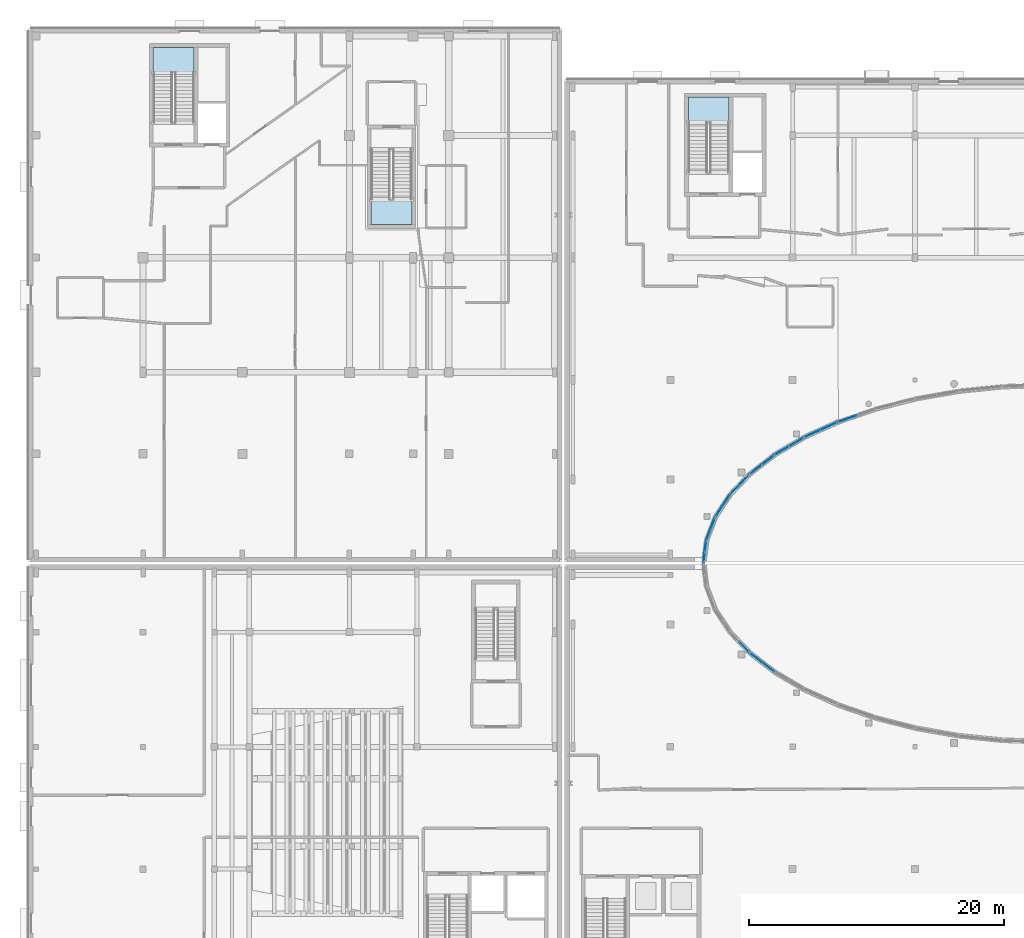
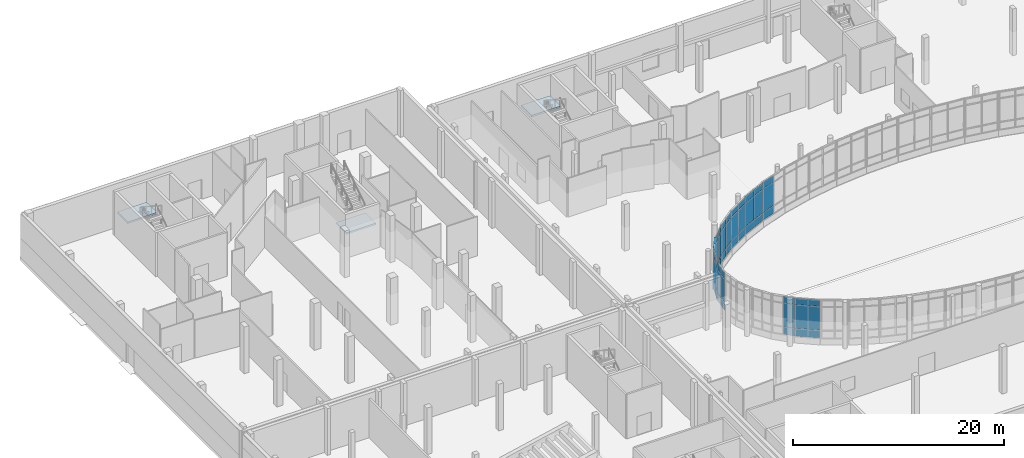
# One storey, part 33 of 84: 54 plates, 3 slabs, 13 elements without a shape of their own.
"""IFC4 building model written with IfcOpenShell, lengths in metres."""

from ifc_helpers import new_model, si_unit, direction, frame, origin, origin_2d, place, context, subcontext, project, spatial, polyline, rectangle, outline, extrude, material, layer, layer_set, type_object, element, aggregate, save


model = new_model("IFC4")

# Units and contexts
model_context = context("Model", 3, precision=1e-05, world=origin(), true_north=direction((0.0, 1.0)))
body_context = subcontext(model_context, "Body", "Model", "MODEL_VIEW")
ifc_project = project(units=[si_unit("LENGTHUNIT", "METRE"), si_unit("AREAUNIT", "SQUARE_METRE"), si_unit("VOLUMEUNIT", "CUBIC_METRE"), si_unit("PLANEANGLEUNIT", "RADIAN"), si_unit("MASSUNIT", "GRAM", prefix="KILO")], contexts=[model_context])

# Site, building, storey
site_placement = place(None, origin())
site = spatial("IfcSite", under=ifc_project, at=site_placement, CompositionType="ELEMENT")
building_placement = place(site_placement, origin())
building = spatial("IfcBuilding", under=site, at=building_placement, Name="Mzevani Central Library", CompositionType="ELEMENT")
storey_placement = place(building_placement, origin())
storey = spatial("IfcBuildingStorey", under=building, at=storey_placement, Name="L00", CompositionType="ELEMENT", Elevation=0.0)

# Curtain wall, plate
ifc_material_1 = material(Name="Thermally broken aluminium and Low-E triple glazing", Category="aluminium")
curtain_wall_type_1 = type_object("IfcCurtainWallType", Name="Elliptical Court Unitised Curtain Wall", PredefinedType="NOTDEFINED", material=ifc_material_1)
curtain_wall_1_placement = place(storey_placement, origin())
curtain_wall_1 = element("IfcCurtainWall", 1, at=curtain_wall_1_placement, inside=storey, type_object=curtain_wall_type_1, Name="L00 Elliptical Court Curtain Wall 17", PredefinedType="NOTDEFINED")
ifc_material_2 = material(Name="Thermally broken aluminium AW-6060", Category="aluminium")
ifc_layer_1 = layer(ifc_material_2, 0.0419921875, Name="CW Insulated Spandrel Panel 42")
ifc_layer_set_1 = layer_set([ifc_layer_1], Name="Thermally broken aluminium AW-6060")
plate_type_1 = type_object("IfcPlateType", Name="CW Insulated Spandrel Panel 42", PredefinedType="CURTAIN_PANEL", material=ifc_layer_set_1)
plate_1_placement = place(storey_placement, frame((68.23974609375, 87.34326171875, 0.719970703125), z_axis=(0.0, 0.0, 1.0), x_axis=(-0.945503232512, -0.325612710609, 0.0)))
plate_1 = element("IfcPlate", 2, at=plate_1_placement, type_object=plate_type_1, Name="L00 Elliptical Court Curtain Wall 17 Spandrel Panel 4", PredefinedType="CURTAIN_PANEL", context=body_context, shape_type="SweptSolid", body=[
    extrude(rectangle(XDim=1.54150390625, YDim=0.0419921875, at=origin_2d()), origin(), (0.0, 0.0, 1.0), 0.89990234375),
])

# Curtain wall, plates
curtain_wall_2_placement = place(storey_placement, origin())
curtain_wall_2 = element("IfcCurtainWall", 3, at=curtain_wall_2_placement, inside=storey, type_object=curtain_wall_type_1, Name="L00 Elliptical Court Curtain Wall 18", PredefinedType="NOTDEFINED")
plate_2_placement = place(storey_placement, frame((66.836669921875, 86.771728515625, 0.719970703125), z_axis=(0.0, 0.0, 1.0), x_axis=(-0.911237291888, -0.411881776573, 0.0)))
plate_2 = element("IfcPlate", 4, at=plate_2_placement, type_object=plate_type_1, Name="L00 Elliptical Court Curtain Wall 18 Spandrel Panel 1", PredefinedType="CURTAIN_PANEL", context=body_context, shape_type="SweptSolid", body=[
    extrude(rectangle(XDim=1.4462890625, YDim=0.0419921875, at=origin_2d()), origin(), (0.0, 0.0, 1.0), 0.89990234375),
])
plate_3_placement = place(storey_placement, frame((65.518798828125, 86.176025390625, 0.719970703125), z_axis=(0.0, 0.0, 1.0), x_axis=(-0.911237291888, -0.411881776573, 0.0)))
plate_3 = element("IfcPlate", 5, at=plate_3_placement, type_object=plate_type_1, Name="L00 Elliptical Court Curtain Wall 18 Spandrel Panel 4", PredefinedType="CURTAIN_PANEL", context=body_context, shape_type="SweptSolid", body=[
    extrude(rectangle(XDim=1.4462890625, YDim=0.0419921875, at=origin_2d()), origin(), (0.0, 0.0, 1.0), 0.89990234375),
])

curtain_wall_type_2 = type_object("IfcCurtainWallType", Name="Reading Hall Northlight Curtain Wall", PredefinedType="NOTDEFINED", material=ifc_material_1)
curtain_wall_3_placement = place(storey_placement, origin())
curtain_wall_3 = element("IfcCurtainWall", 6, at=curtain_wall_3_placement, inside=storey, type_object=curtain_wall_type_2, Name="L00 Elliptical Court Curtain Wall 19", PredefinedType="NOTDEFINED")
plate_4_placement = place(storey_placement, frame((64.271240234375, 85.517822265625, 0.719970703125), z_axis=(0.0, 0.0, 1.0), x_axis=(-0.862137189544, -0.506674911956, 0.0)))
plate_4 = element("IfcPlate", 7, at=plate_4_placement, type_object=plate_type_1, Name="L00 Elliptical Court Curtain Wall 19 Spandrel Panel 1", PredefinedType="CURTAIN_PANEL", context=body_context, shape_type="SweptSolid", body=[
    extrude(rectangle(XDim=1.340576171875, YDim=0.0419921875, at=origin_2d()), origin(), (0.0, 0.0, 1.0), 0.89990234375),
])
plate_5_placement = place(storey_placement, frame((63.115478515625, 84.838623046875, 0.719970703125), z_axis=(0.0, 0.0, 1.0), x_axis=(-0.862137189544, -0.506674911956, 0.0)))
plate_5 = element("IfcPlate", 8, at=plate_5_placement, type_object=plate_type_1, Name="L00 Elliptical Court Curtain Wall 19 Spandrel Panel 4", PredefinedType="CURTAIN_PANEL", context=body_context, shape_type="SweptSolid", body=[
    extrude(rectangle(XDim=1.340576171875, YDim=0.0419921875, at=origin_2d()), origin(), (0.0, 0.0, 1.0), 0.89990234375),
])

curtain_wall_4_placement = place(storey_placement, origin())
curtain_wall_4 = element("IfcCurtainWall", 9, at=curtain_wall_4_placement, inside=storey, type_object=curtain_wall_type_1, Name="L00 Elliptical Court Curtain Wall 20", PredefinedType="NOTDEFINED")
plate_6_placement = place(storey_placement, frame((62.043212890625, 84.1044921875, 0.719970703125), z_axis=(0.0, 0.0, 1.0), x_axis=(-0.791828313632, -0.610743744734, 0.0)))
plate_6 = element("IfcPlate", 10, at=plate_6_placement, type_object=plate_type_1, Name="L00 Elliptical Court Curtain Wall 20 Spandrel Panel 1", PredefinedType="CURTAIN_PANEL", context=body_context, shape_type="SweptSolid", body=[
    extrude(rectangle(XDim=1.229736328125, YDim=0.0419921875, at=origin_2d()), origin(), (0.0, 0.0, 1.0), 0.89990234375),
])
plate_7_placement = place(storey_placement, frame((61.0693359375, 83.353271484375, 0.719970703125), z_axis=(0.0, 0.0, 1.0), x_axis=(-0.791828313632, -0.610743744734, 0.0)))
plate_7 = element("IfcPlate", 11, at=plate_7_placement, type_object=plate_type_1, Name="L00 Elliptical Court Curtain Wall 20 Spandrel Panel 4", PredefinedType="CURTAIN_PANEL", context=body_context, shape_type="SweptSolid", body=[
    extrude(rectangle(XDim=1.229736328125, YDim=0.0419921875, at=origin_2d()), origin(), (0.0, 0.0, 1.0), 0.89990234375),
])

curtain_wall_5_placement = place(storey_placement, origin())
curtain_wall_5 = element("IfcCurtainWall", 12, at=curtain_wall_5_placement, inside=storey, type_object=curtain_wall_type_1, Name="L00 Elliptical Court Curtain Wall 21", PredefinedType="NOTDEFINED")
plate_8_placement = place(storey_placement, frame((60.189697265625, 82.55517578125, 0.719970703125), z_axis=(0.0, 0.0, 1.0), x_axis=(-0.691351660869, -0.722518429532, 0.0)))
plate_8 = element("IfcPlate", 13, at=plate_8_placement, type_object=plate_type_1, Name="L00 Elliptical Court Curtain Wall 21 Spandrel Panel 1", PredefinedType="CURTAIN_PANEL", context=body_context, shape_type="SweptSolid", body=[
    extrude(rectangle(XDim=1.121337890625, YDim=0.0419921875, at=origin_2d()), origin(), (0.0, 0.0, 1.0), 0.89990234375),
])
plate_9_placement = place(storey_placement, frame((59.41455078125, 81.7451171875, 0.719970703125), z_axis=(0.0, 0.0, 1.0), x_axis=(-0.691351660869, -0.722518429532, 0.0)))
plate_9 = element("IfcPlate", 14, at=plate_9_placement, type_object=plate_type_1, Name="L00 Elliptical Court Curtain Wall 21 Spandrel Panel 4", PredefinedType="CURTAIN_PANEL", context=body_context, shape_type="SweptSolid", body=[
    extrude(rectangle(XDim=1.121337890625, YDim=0.0419921875, at=origin_2d()), origin(), (0.0, 0.0, 1.0), 0.89990234375),
])

curtain_wall_6_placement = place(storey_placement, origin())
curtain_wall_6 = element("IfcCurtainWall", 15, at=curtain_wall_6_placement, inside=storey, type_object=curtain_wall_type_2, Name="L00 Elliptical Court Curtain Wall 22", PredefinedType="NOTDEFINED")
plate_10_placement = place(storey_placement, frame((58.74169921875, 80.89599609375, 0.719970703125), z_axis=(0.0, 0.0, 1.0), x_axis=(-0.550027505766, -0.835146539777, 0.0)))
plate_10 = element("IfcPlate", 16, at=plate_10_placement, type_object=plate_type_1, Name="L00 Elliptical Court Curtain Wall 22 Spandrel Panel 1", PredefinedType="CURTAIN_PANEL", context=body_context, shape_type="SweptSolid", body=[
    extrude(rectangle(XDim=1.0244140625, YDim=0.0419921875, at=origin_2d()), origin(), (0.0, 0.0, 1.0), 0.89990234375),
])
plate_11_placement = place(storey_placement, frame((58.17822265625, 80.04052734375, 0.719970703125), z_axis=(0.0, 0.0, 1.0), x_axis=(-0.550027505766, -0.835146539777, 0.0)))
plate_11 = element("IfcPlate", 17, at=plate_11_placement, type_object=plate_type_1, Name="L00 Elliptical Court Curtain Wall 22 Spandrel Panel 4", PredefinedType="CURTAIN_PANEL", context=body_context, shape_type="SweptSolid", body=[
    extrude(rectangle(XDim=1.0244140625, YDim=0.0419921875, at=origin_2d()), origin(), (0.0, 0.0, 1.0), 0.89990234375),
])

curtain_wall_7_placement = place(storey_placement, origin())
curtain_wall_7 = element("IfcCurtainWall", 18, at=curtain_wall_7_placement, inside=storey, type_object=curtain_wall_type_1, Name="L00 Elliptical Court Curtain Wall 23", PredefinedType="NOTDEFINED")
plate_12_placement = place(storey_placement, frame((57.723388671875, 79.154296875, 0.719970703125), z_axis=(0.0, 0.0, 1.0), x_axis=(-0.360061939687, -0.932928400034, 0.0)))
plate_12 = element("IfcPlate", 19, at=plate_12_placement, type_object=plate_type_1, Name="L00 Elliptical Court Curtain Wall 23 Spandrel Panel 1", PredefinedType="CURTAIN_PANEL", context=body_context, shape_type="SweptSolid", body=[
    extrude(rectangle(XDim=0.94970703125, YDim=0.0419921875, at=origin_2d()), origin(), (0.0, 0.0, 1.0), 0.89990234375),
])
plate_13_placement = place(storey_placement, frame((57.38134765625, 78.268310546875, 0.719970703125), z_axis=(0.0, 0.0, 1.0), x_axis=(-0.360061939687, -0.932928400034, 0.0)))
plate_13 = element("IfcPlate", 20, at=plate_13_placement, type_object=plate_type_1, Name="L00 Elliptical Court Curtain Wall 23 Spandrel Panel 4", PredefinedType="CURTAIN_PANEL", context=body_context, shape_type="SweptSolid", body=[
    extrude(rectangle(XDim=0.94970703125, YDim=0.0419921875, at=origin_2d()), origin(), (0.0, 0.0, 1.0), 0.89990234375),
])

curtain_wall_8_placement = place(storey_placement, origin())
curtain_wall_8 = element("IfcCurtainWall", 21, at=curtain_wall_8_placement, inside=storey, type_object=curtain_wall_type_1, Name="L00 Elliptical Court Curtain Wall 24", PredefinedType="NOTDEFINED")
plate_14_placement = place(storey_placement, frame((57.152099609375, 77.359619140625, 0.719970703125), z_axis=(0.0, 0.0, 1.0), x_axis=(-0.126167804319, -0.992008913848, 0.0)))
plate_14 = element("IfcPlate", 22, at=plate_14_placement, type_object=plate_type_1, Name="L00 Elliptical Court Curtain Wall 24 Spandrel Panel 1", PredefinedType="CURTAIN_PANEL", context=body_context, shape_type="SweptSolid", body=[
    extrude(rectangle(XDim=0.90869140625, YDim=0.0419921875, at=origin_2d()), origin(), (0.0, 0.0, 1.0), 0.89990234375),
])
plate_15_placement = place(storey_placement, frame((57.037353515625, 76.4580078125, 0.719970703125), z_axis=(0.0, 0.0, 1.0), x_axis=(-0.126167804319, -0.992008913848, 0.0)))
plate_15 = element("IfcPlate", 23, at=plate_15_placement, type_object=plate_type_1, Name="L00 Elliptical Court Curtain Wall 24 Spandrel Panel 4", PredefinedType="CURTAIN_PANEL", context=body_context, shape_type="SweptSolid", body=[
    extrude(rectangle(XDim=0.90869140625, YDim=0.0419921875, at=origin_2d()), origin(), (0.0, 0.0, 1.0), 0.89990234375),
])

# Curtain wall, plate
curtain_wall_9_placement = place(storey_placement, origin())
curtain_wall_9 = element("IfcCurtainWall", 24, at=curtain_wall_9_placement, inside=storey, type_object=curtain_wall_type_2, Name="L00 Elliptical Court Curtain Wall 28", PredefinedType="NOTDEFINED")
plate_16_placement = place(storey_placement, frame((60.189697265625, 69.44482421875, 0.719970703125), z_axis=(0.0, 0.0, 1.0), x_axis=(0.691351660869, -0.722518429532, 0.0)))
plate_16 = element("IfcPlate", 25, at=plate_16_placement, type_object=plate_type_1, Name="L00 Elliptical Court Curtain Wall 28 Spandrel Panel 4", PredefinedType="CURTAIN_PANEL", context=body_context, shape_type="SweptSolid", body=[
    extrude(rectangle(XDim=1.121337890625, YDim=0.0419921875, at=origin_2d()), origin(), (0.0, 0.0, 1.0), 0.89990234375),
])

# Curtain wall, plates
curtain_wall_10_placement = place(storey_placement, origin())
curtain_wall_10 = element("IfcCurtainWall", 26, at=curtain_wall_10_placement, inside=storey, type_object=curtain_wall_type_1, Name="L00 Elliptical Court Curtain Wall 29", PredefinedType="NOTDEFINED")
plate_17_placement = place(storey_placement, frame((61.0693359375, 68.646728515625, 0.719970703125), z_axis=(0.0, 0.0, 1.0), x_axis=(0.791828313632, -0.610743744734, 0.0)))
plate_17 = element("IfcPlate", 27, at=plate_17_placement, type_object=plate_type_1, Name="L00 Elliptical Court Curtain Wall 29 Spandrel Panel 1", PredefinedType="CURTAIN_PANEL", context=body_context, shape_type="SweptSolid", body=[
    extrude(rectangle(XDim=1.229736328125, YDim=0.0419921875, at=origin_2d()), origin(), (0.0, 0.0, 1.0), 0.89990234375),
])
plate_18_placement = place(storey_placement, frame((62.043212890625, 67.8955078125, 0.719970703125), z_axis=(0.0, 0.0, 1.0), x_axis=(0.791828313632, -0.610743744734, 0.0)))
plate_18 = element("IfcPlate", 28, at=plate_18_placement, type_object=plate_type_1, Name="L00 Elliptical Court Curtain Wall 29 Spandrel Panel 4", PredefinedType="CURTAIN_PANEL", context=body_context, shape_type="SweptSolid", body=[
    extrude(rectangle(XDim=1.229736328125, YDim=0.0419921875, at=origin_2d()), origin(), (0.0, 0.0, 1.0), 0.89990234375),
])

# Plate
ifc_material_3 = material(Name="Low-E triple glazing glass", Category="glass")
ifc_layer_2 = layer(ifc_material_3, 0.028076171875, Name="CW Triple Glazed Vision Panel 28")
ifc_layer_set_2 = layer_set([ifc_layer_2], Name="Low-E triple glazing glass")
plate_type_2 = type_object("IfcPlateType", Name="CW Triple Glazed Vision Panel 28", PredefinedType="CURTAIN_PANEL", material=ifc_layer_set_2)
plate_19_placement = place(storey_placement, frame((68.23974609375, 87.34326171875, 1.6201171875), z_axis=(0.0, 0.0, 1.0), x_axis=(-0.945503232512, -0.325612710609, 0.0)))
plate_19 = element("IfcPlate", 29, at=plate_19_placement, type_object=plate_type_2, Name="L00 Elliptical Court Curtain Wall 17 Vision Panel 5", PredefinedType="CURTAIN_PANEL", context=body_context, shape_type="SweptSolid", body=[
    extrude(rectangle(XDim=1.54150390625, YDim=0.028076171875, at=origin_2d()), origin(), (0.0, 0.0, 1.0), 2.75),
])

plate_20_placement = place(storey_placement, frame((68.23974609375, 87.34326171875, 4.3701171875), z_axis=(0.0, 0.0, 1.0), x_axis=(-0.945503232512, -0.325612710609, 0.0)))
plate_20 = element("IfcPlate", 30, at=plate_20_placement, type_object=plate_type_2, Name="L00 Elliptical Court Curtain Wall 17 Vision Panel 6", PredefinedType="CURTAIN_PANEL", context=body_context, shape_type="SweptSolid", body=[
    extrude(rectangle(XDim=1.54150390625, YDim=0.028076171875, at=origin_2d()), origin(), (0.0, 0.0, 1.0), 0.75),
])

aggregate(curtain_wall_1, [plate_1, plate_19, plate_20])

plate_21_placement = place(storey_placement, frame((66.836669921875, 86.771728515625, 1.6201171875), z_axis=(0.0, 0.0, 1.0), x_axis=(-0.911237291888, -0.411881776573, 0.0)))
plate_21 = element("IfcPlate", 31, at=plate_21_placement, type_object=plate_type_2, Name="L00 Elliptical Court Curtain Wall 18 Vision Panel 2", PredefinedType="CURTAIN_PANEL", context=body_context, shape_type="SweptSolid", body=[
    extrude(rectangle(XDim=1.4462890625, YDim=0.028076171875, at=origin_2d()), origin(), (0.0, 0.0, 1.0), 2.75),
])

plate_22_placement = place(storey_placement, frame((66.836669921875, 86.771728515625, 4.3701171875), z_axis=(0.0, 0.0, 1.0), x_axis=(-0.911237291888, -0.411881776573, 0.0)))
plate_22 = element("IfcPlate", 32, at=plate_22_placement, type_object=plate_type_2, Name="L00 Elliptical Court Curtain Wall 18 Vision Panel 3", PredefinedType="CURTAIN_PANEL", context=body_context, shape_type="SweptSolid", body=[
    extrude(rectangle(XDim=1.4462890625, YDim=0.028076171875, at=origin_2d()), origin(), (0.0, 0.0, 1.0), 0.75),
])

plate_23_placement = place(storey_placement, frame((65.518798828125, 86.176025390625, 1.6201171875), z_axis=(0.0, 0.0, 1.0), x_axis=(-0.911237291888, -0.411881776573, 0.0)))
plate_23 = element("IfcPlate", 33, at=plate_23_placement, type_object=plate_type_2, Name="L00 Elliptical Court Curtain Wall 18 Vision Panel 5", PredefinedType="CURTAIN_PANEL", context=body_context, shape_type="SweptSolid", body=[
    extrude(rectangle(XDim=1.4462890625, YDim=0.028076171875, at=origin_2d()), origin(), (0.0, 0.0, 1.0), 2.75),
])

plate_24_placement = place(storey_placement, frame((65.518798828125, 86.176025390625, 4.3701171875), z_axis=(0.0, 0.0, 1.0), x_axis=(-0.911237291888, -0.411881776573, 0.0)))
plate_24 = element("IfcPlate", 34, at=plate_24_placement, type_object=plate_type_2, Name="L00 Elliptical Court Curtain Wall 18 Vision Panel 6", PredefinedType="CURTAIN_PANEL", context=body_context, shape_type="SweptSolid", body=[
    extrude(rectangle(XDim=1.4462890625, YDim=0.028076171875, at=origin_2d()), origin(), (0.0, 0.0, 1.0), 0.75),
])

aggregate(curtain_wall_2, [plate_2, plate_21, plate_22, plate_3, plate_23, plate_24])

plate_25_placement = place(storey_placement, frame((64.271240234375, 85.517822265625, 1.6201171875), z_axis=(0.0, 0.0, 1.0), x_axis=(-0.862137189544, -0.506674911956, 0.0)))
plate_25 = element("IfcPlate", 35, at=plate_25_placement, type_object=plate_type_2, Name="L00 Elliptical Court Curtain Wall 19 Vision Panel 2", PredefinedType="CURTAIN_PANEL", context=body_context, shape_type="SweptSolid", body=[
    extrude(rectangle(XDim=1.340576171875, YDim=0.028076171875, at=origin_2d()), origin(), (0.0, 0.0, 1.0), 2.75),
])

plate_26_placement = place(storey_placement, frame((64.271240234375, 85.517822265625, 4.3701171875), z_axis=(0.0, 0.0, 1.0), x_axis=(-0.862137189544, -0.506674911956, 0.0)))
plate_26 = element("IfcPlate", 36, at=plate_26_placement, type_object=plate_type_2, Name="L00 Elliptical Court Curtain Wall 19 Vision Panel 3", PredefinedType="CURTAIN_PANEL", context=body_context, shape_type="SweptSolid", body=[
    extrude(rectangle(XDim=1.340576171875, YDim=0.028076171875, at=origin_2d()), origin(), (0.0, 0.0, 1.0), 0.75),
])

plate_27_placement = place(storey_placement, frame((63.115478515625, 84.838623046875, 1.6201171875), z_axis=(0.0, 0.0, 1.0), x_axis=(-0.862137189544, -0.506674911956, 0.0)))
plate_27 = element("IfcPlate", 37, at=plate_27_placement, type_object=plate_type_2, Name="L00 Elliptical Court Curtain Wall 19 Vision Panel 5", PredefinedType="CURTAIN_PANEL", context=body_context, shape_type="SweptSolid", body=[
    extrude(rectangle(XDim=1.340576171875, YDim=0.028076171875, at=origin_2d()), origin(), (0.0, 0.0, 1.0), 2.75),
])

plate_28_placement = place(storey_placement, frame((63.115478515625, 84.838623046875, 4.3701171875), z_axis=(0.0, 0.0, 1.0), x_axis=(-0.862137189544, -0.506674911956, 0.0)))
plate_28 = element("IfcPlate", 38, at=plate_28_placement, type_object=plate_type_2, Name="L00 Elliptical Court Curtain Wall 19 Vision Panel 6", PredefinedType="CURTAIN_PANEL", context=body_context, shape_type="SweptSolid", body=[
    extrude(rectangle(XDim=1.340576171875, YDim=0.028076171875, at=origin_2d()), origin(), (0.0, 0.0, 1.0), 0.75),
])

aggregate(curtain_wall_3, [plate_4, plate_25, plate_26, plate_5, plate_27, plate_28])

plate_29_placement = place(storey_placement, frame((62.043212890625, 84.1044921875, 1.6201171875), z_axis=(0.0, 0.0, 1.0), x_axis=(-0.791828313632, -0.610743744734, 0.0)))
plate_29 = element("IfcPlate", 39, at=plate_29_placement, type_object=plate_type_2, Name="L00 Elliptical Court Curtain Wall 20 Vision Panel 2", PredefinedType="CURTAIN_PANEL", context=body_context, shape_type="SweptSolid", body=[
    extrude(rectangle(XDim=1.229736328125, YDim=0.028076171875, at=origin_2d()), origin(), (0.0, 0.0, 1.0), 2.75),
])

plate_30_placement = place(storey_placement, frame((62.043212890625, 84.1044921875, 4.3701171875), z_axis=(0.0, 0.0, 1.0), x_axis=(-0.791828313632, -0.610743744734, 0.0)))
plate_30 = element("IfcPlate", 40, at=plate_30_placement, type_object=plate_type_2, Name="L00 Elliptical Court Curtain Wall 20 Vision Panel 3", PredefinedType="CURTAIN_PANEL", context=body_context, shape_type="SweptSolid", body=[
    extrude(rectangle(XDim=1.229736328125, YDim=0.028076171875, at=origin_2d()), origin(), (0.0, 0.0, 1.0), 0.75),
])

plate_31_placement = place(storey_placement, frame((61.0693359375, 83.353271484375, 1.6201171875), z_axis=(0.0, 0.0, 1.0), x_axis=(-0.791828313632, -0.610743744734, 0.0)))
plate_31 = element("IfcPlate", 41, at=plate_31_placement, type_object=plate_type_2, Name="L00 Elliptical Court Curtain Wall 20 Vision Panel 5", PredefinedType="CURTAIN_PANEL", context=body_context, shape_type="SweptSolid", body=[
    extrude(rectangle(XDim=1.229736328125, YDim=0.028076171875, at=origin_2d()), origin(), (0.0, 0.0, 1.0), 2.75),
])

plate_32_placement = place(storey_placement, frame((61.0693359375, 83.353271484375, 4.3701171875), z_axis=(0.0, 0.0, 1.0), x_axis=(-0.791828313632, -0.610743744734, 0.0)))
plate_32 = element("IfcPlate", 42, at=plate_32_placement, type_object=plate_type_2, Name="L00 Elliptical Court Curtain Wall 20 Vision Panel 6", PredefinedType="CURTAIN_PANEL", context=body_context, shape_type="SweptSolid", body=[
    extrude(rectangle(XDim=1.229736328125, YDim=0.028076171875, at=origin_2d()), origin(), (0.0, 0.0, 1.0), 0.75),
])

aggregate(curtain_wall_4, [plate_6, plate_29, plate_30, plate_7, plate_31, plate_32])

plate_33_placement = place(storey_placement, frame((60.189697265625, 82.55517578125, 1.6201171875), z_axis=(0.0, 0.0, 1.0), x_axis=(-0.691351660869, -0.722518429532, 0.0)))
plate_33 = element("IfcPlate", 43, at=plate_33_placement, type_object=plate_type_2, Name="L00 Elliptical Court Curtain Wall 21 Vision Panel 2", PredefinedType="CURTAIN_PANEL", context=body_context, shape_type="SweptSolid", body=[
    extrude(rectangle(XDim=1.121337890625, YDim=0.028076171875, at=origin_2d()), origin(), (0.0, 0.0, 1.0), 2.75),
])

plate_34_placement = place(storey_placement, frame((60.189697265625, 82.55517578125, 4.3701171875), z_axis=(0.0, 0.0, 1.0), x_axis=(-0.691351660869, -0.722518429532, 0.0)))
plate_34 = element("IfcPlate", 44, at=plate_34_placement, type_object=plate_type_2, Name="L00 Elliptical Court Curtain Wall 21 Vision Panel 3", PredefinedType="CURTAIN_PANEL", context=body_context, shape_type="SweptSolid", body=[
    extrude(rectangle(XDim=1.121337890625, YDim=0.028076171875, at=origin_2d()), origin(), (0.0, 0.0, 1.0), 0.75),
])

plate_35_placement = place(storey_placement, frame((59.41455078125, 81.7451171875, 1.6201171875), z_axis=(0.0, 0.0, 1.0), x_axis=(-0.691351660869, -0.722518429532, 0.0)))
plate_35 = element("IfcPlate", 45, at=plate_35_placement, type_object=plate_type_2, Name="L00 Elliptical Court Curtain Wall 21 Vision Panel 5", PredefinedType="CURTAIN_PANEL", context=body_context, shape_type="SweptSolid", body=[
    extrude(rectangle(XDim=1.121337890625, YDim=0.028076171875, at=origin_2d()), origin(), (0.0, 0.0, 1.0), 2.75),
])

plate_36_placement = place(storey_placement, frame((59.41455078125, 81.7451171875, 4.3701171875), z_axis=(0.0, 0.0, 1.0), x_axis=(-0.691351660869, -0.722518429532, 0.0)))
plate_36 = element("IfcPlate", 46, at=plate_36_placement, type_object=plate_type_2, Name="L00 Elliptical Court Curtain Wall 21 Vision Panel 6", PredefinedType="CURTAIN_PANEL", context=body_context, shape_type="SweptSolid", body=[
    extrude(rectangle(XDim=1.121337890625, YDim=0.028076171875, at=origin_2d()), origin(), (0.0, 0.0, 1.0), 0.75),
])

aggregate(curtain_wall_5, [plate_8, plate_33, plate_34, plate_9, plate_35, plate_36])

plate_37_placement = place(storey_placement, frame((58.74169921875, 80.89599609375, 1.6201171875), z_axis=(0.0, 0.0, 1.0), x_axis=(-0.550027505766, -0.835146539777, 0.0)))
plate_37 = element("IfcPlate", 47, at=plate_37_placement, type_object=plate_type_2, Name="L00 Elliptical Court Curtain Wall 22 Vision Panel 2", PredefinedType="CURTAIN_PANEL", context=body_context, shape_type="SweptSolid", body=[
    extrude(rectangle(XDim=1.0244140625, YDim=0.028076171875, at=origin_2d()), origin(), (0.0, 0.0, 1.0), 2.75),
])

plate_38_placement = place(storey_placement, frame((58.74169921875, 80.89599609375, 4.3701171875), z_axis=(0.0, 0.0, 1.0), x_axis=(-0.550027505766, -0.835146539777, 0.0)))
plate_38 = element("IfcPlate", 48, at=plate_38_placement, type_object=plate_type_2, Name="L00 Elliptical Court Curtain Wall 22 Vision Panel 3", PredefinedType="CURTAIN_PANEL", context=body_context, shape_type="SweptSolid", body=[
    extrude(rectangle(XDim=1.0244140625, YDim=0.028076171875, at=origin_2d()), origin(), (0.0, 0.0, 1.0), 0.75),
])

plate_39_placement = place(storey_placement, frame((58.17822265625, 80.04052734375, 1.6201171875), z_axis=(0.0, 0.0, 1.0), x_axis=(-0.550027505766, -0.835146539777, 0.0)))
plate_39 = element("IfcPlate", 49, at=plate_39_placement, type_object=plate_type_2, Name="L00 Elliptical Court Curtain Wall 22 Vision Panel 5", PredefinedType="CURTAIN_PANEL", context=body_context, shape_type="SweptSolid", body=[
    extrude(rectangle(XDim=1.0244140625, YDim=0.028076171875, at=origin_2d()), origin(), (0.0, 0.0, 1.0), 2.75),
])

plate_40_placement = place(storey_placement, frame((58.17822265625, 80.04052734375, 4.3701171875), z_axis=(0.0, 0.0, 1.0), x_axis=(-0.550027505766, -0.835146539777, 0.0)))
plate_40 = element("IfcPlate", 50, at=plate_40_placement, type_object=plate_type_2, Name="L00 Elliptical Court Curtain Wall 22 Vision Panel 6", PredefinedType="CURTAIN_PANEL", context=body_context, shape_type="SweptSolid", body=[
    extrude(rectangle(XDim=1.0244140625, YDim=0.028076171875, at=origin_2d()), origin(), (0.0, 0.0, 1.0), 0.75),
])

aggregate(curtain_wall_6, [plate_10, plate_37, plate_38, plate_11, plate_39, plate_40])

plate_41_placement = place(storey_placement, frame((57.723388671875, 79.154296875, 1.6201171875), z_axis=(0.0, 0.0, 1.0), x_axis=(-0.360061939687, -0.932928400034, 0.0)))
plate_41 = element("IfcPlate", 51, at=plate_41_placement, type_object=plate_type_2, Name="L00 Elliptical Court Curtain Wall 23 Vision Panel 2", PredefinedType="CURTAIN_PANEL", context=body_context, shape_type="SweptSolid", body=[
    extrude(rectangle(XDim=0.94970703125, YDim=0.028076171875, at=origin_2d()), origin(), (0.0, 0.0, 1.0), 2.75),
])

plate_42_placement = place(storey_placement, frame((57.723388671875, 79.154296875, 4.3701171875), z_axis=(0.0, 0.0, 1.0), x_axis=(-0.360061939687, -0.932928400034, 0.0)))
plate_42 = element("IfcPlate", 52, at=plate_42_placement, type_object=plate_type_2, Name="L00 Elliptical Court Curtain Wall 23 Vision Panel 3", PredefinedType="CURTAIN_PANEL", context=body_context, shape_type="SweptSolid", body=[
    extrude(rectangle(XDim=0.94970703125, YDim=0.028076171875, at=origin_2d()), origin(), (0.0, 0.0, 1.0), 0.75),
])

plate_43_placement = place(storey_placement, frame((57.38134765625, 78.268310546875, 1.6201171875), z_axis=(0.0, 0.0, 1.0), x_axis=(-0.360061939687, -0.932928400034, 0.0)))
plate_43 = element("IfcPlate", 53, at=plate_43_placement, type_object=plate_type_2, Name="L00 Elliptical Court Curtain Wall 23 Vision Panel 5", PredefinedType="CURTAIN_PANEL", context=body_context, shape_type="SweptSolid", body=[
    extrude(rectangle(XDim=0.94970703125, YDim=0.028076171875, at=origin_2d()), origin(), (0.0, 0.0, 1.0), 2.75),
])

plate_44_placement = place(storey_placement, frame((57.38134765625, 78.268310546875, 4.3701171875), z_axis=(0.0, 0.0, 1.0), x_axis=(-0.360061939687, -0.932928400034, 0.0)))
plate_44 = element("IfcPlate", 54, at=plate_44_placement, type_object=plate_type_2, Name="L00 Elliptical Court Curtain Wall 23 Vision Panel 6", PredefinedType="CURTAIN_PANEL", context=body_context, shape_type="SweptSolid", body=[
    extrude(rectangle(XDim=0.94970703125, YDim=0.028076171875, at=origin_2d()), origin(), (0.0, 0.0, 1.0), 0.75),
])

aggregate(curtain_wall_7, [plate_12, plate_41, plate_42, plate_13, plate_43, plate_44])

plate_45_placement = place(storey_placement, frame((57.152099609375, 77.359619140625, 1.6201171875), z_axis=(0.0, 0.0, 1.0), x_axis=(-0.126167804319, -0.992008913848, 0.0)))
plate_45 = element("IfcPlate", 55, at=plate_45_placement, type_object=plate_type_2, Name="L00 Elliptical Court Curtain Wall 24 Vision Panel 2", PredefinedType="CURTAIN_PANEL", context=body_context, shape_type="SweptSolid", body=[
    extrude(rectangle(XDim=0.90869140625, YDim=0.028076171875, at=origin_2d()), origin(), (0.0, 0.0, 1.0), 2.75),
])

plate_46_placement = place(storey_placement, frame((57.152099609375, 77.359619140625, 4.3701171875), z_axis=(0.0, 0.0, 1.0), x_axis=(-0.126167804319, -0.992008913848, 0.0)))
plate_46 = element("IfcPlate", 56, at=plate_46_placement, type_object=plate_type_2, Name="L00 Elliptical Court Curtain Wall 24 Vision Panel 3", PredefinedType="CURTAIN_PANEL", context=body_context, shape_type="SweptSolid", body=[
    extrude(rectangle(XDim=0.90869140625, YDim=0.028076171875, at=origin_2d()), origin(), (0.0, 0.0, 1.0), 0.75),
])

plate_47_placement = place(storey_placement, frame((57.037353515625, 76.4580078125, 1.6201171875), z_axis=(0.0, 0.0, 1.0), x_axis=(-0.126167804319, -0.992008913848, 0.0)))
plate_47 = element("IfcPlate", 57, at=plate_47_placement, type_object=plate_type_2, Name="L00 Elliptical Court Curtain Wall 24 Vision Panel 5", PredefinedType="CURTAIN_PANEL", context=body_context, shape_type="SweptSolid", body=[
    extrude(rectangle(XDim=0.90869140625, YDim=0.028076171875, at=origin_2d()), origin(), (0.0, 0.0, 1.0), 2.75),
])

plate_48_placement = place(storey_placement, frame((57.037353515625, 76.4580078125, 4.3701171875), z_axis=(0.0, 0.0, 1.0), x_axis=(-0.126167804319, -0.992008913848, 0.0)))
plate_48 = element("IfcPlate", 58, at=plate_48_placement, type_object=plate_type_2, Name="L00 Elliptical Court Curtain Wall 24 Vision Panel 6", PredefinedType="CURTAIN_PANEL", context=body_context, shape_type="SweptSolid", body=[
    extrude(rectangle(XDim=0.90869140625, YDim=0.028076171875, at=origin_2d()), origin(), (0.0, 0.0, 1.0), 0.75),
])

aggregate(curtain_wall_8, [plate_14, plate_45, plate_46, plate_15, plate_47, plate_48])

plate_49_placement = place(storey_placement, frame((60.189697265625, 69.44482421875, 1.6201171875), z_axis=(0.0, 0.0, 1.0), x_axis=(0.691351660869, -0.722518429532, 0.0)))
plate_49 = element("IfcPlate", 59, at=plate_49_placement, type_object=plate_type_2, Name="L00 Elliptical Court Curtain Wall 28 Vision Panel 5", PredefinedType="CURTAIN_PANEL", context=body_context, shape_type="SweptSolid", body=[
    extrude(rectangle(XDim=1.121337890625, YDim=0.028076171875, at=origin_2d()), origin(), (0.0, 0.0, 1.0), 2.75),
])

plate_50_placement = place(storey_placement, frame((60.189697265625, 69.44482421875, 4.3701171875), z_axis=(0.0, 0.0, 1.0), x_axis=(0.691351660869, -0.722518429532, 0.0)))
plate_50 = element("IfcPlate", 60, at=plate_50_placement, type_object=plate_type_2, Name="L00 Elliptical Court Curtain Wall 28 Vision Panel 6", PredefinedType="CURTAIN_PANEL", context=body_context, shape_type="SweptSolid", body=[
    extrude(rectangle(XDim=1.121337890625, YDim=0.028076171875, at=origin_2d()), origin(), (0.0, 0.0, 1.0), 0.75),
])

aggregate(curtain_wall_9, [plate_16, plate_49, plate_50])

plate_51_placement = place(storey_placement, frame((61.0693359375, 68.646728515625, 1.6201171875), z_axis=(0.0, 0.0, 1.0), x_axis=(0.791828313632, -0.610743744734, 0.0)))
plate_51 = element("IfcPlate", 61, at=plate_51_placement, type_object=plate_type_2, Name="L00 Elliptical Court Curtain Wall 29 Vision Panel 2", PredefinedType="CURTAIN_PANEL", context=body_context, shape_type="SweptSolid", body=[
    extrude(rectangle(XDim=1.229736328125, YDim=0.028076171875, at=origin_2d()), origin(), (0.0, 0.0, 1.0), 2.75),
])

plate_52_placement = place(storey_placement, frame((61.0693359375, 68.646728515625, 4.3701171875), z_axis=(0.0, 0.0, 1.0), x_axis=(0.791828313632, -0.610743744734, 0.0)))
plate_52 = element("IfcPlate", 62, at=plate_52_placement, type_object=plate_type_2, Name="L00 Elliptical Court Curtain Wall 29 Vision Panel 3", PredefinedType="CURTAIN_PANEL", context=body_context, shape_type="SweptSolid", body=[
    extrude(rectangle(XDim=1.229736328125, YDim=0.028076171875, at=origin_2d()), origin(), (0.0, 0.0, 1.0), 0.75),
])

plate_53_placement = place(storey_placement, frame((62.043212890625, 67.8955078125, 1.6201171875), z_axis=(0.0, 0.0, 1.0), x_axis=(0.791828313632, -0.610743744734, 0.0)))
plate_53 = element("IfcPlate", 63, at=plate_53_placement, type_object=plate_type_2, Name="L00 Elliptical Court Curtain Wall 29 Vision Panel 5", PredefinedType="CURTAIN_PANEL", context=body_context, shape_type="SweptSolid", body=[
    extrude(rectangle(XDim=1.229736328125, YDim=0.028076171875, at=origin_2d()), origin(), (0.0, 0.0, 1.0), 2.75),
])

plate_54_placement = place(storey_placement, frame((62.043212890625, 67.8955078125, 4.3701171875), z_axis=(0.0, 0.0, 1.0), x_axis=(0.791828313632, -0.610743744734, 0.0)))
plate_54 = element("IfcPlate", 64, at=plate_54_placement, type_object=plate_type_2, Name="L00 Elliptical Court Curtain Wall 29 Vision Panel 6", PredefinedType="CURTAIN_PANEL", context=body_context, shape_type="SweptSolid", body=[
    extrude(rectangle(XDim=1.229736328125, YDim=0.028076171875, at=origin_2d()), origin(), (0.0, 0.0, 1.0), 0.75),
])

aggregate(curtain_wall_10, [plate_17, plate_51, plate_52, plate_18, plate_53, plate_54])

# Stair, slab
ifc_material_4 = material(Name="Concrete C35/45", Category="concrete")
stair_type = type_object("IfcStairType", Name="Dogleg Exit Stair 180x280", PredefinedType="HALF_TURN_STAIR", material=ifc_material_4)
stair_1_placement = place(storey_placement, origin())
stair_1 = element("IfcStair", 65, at=stair_1_placement, inside=storey, type_object=stair_type, Name="L00 Core C2A North-West Firefighting Core Exit Stair ST-01", PredefinedType="HALF_TURN_STAIR")
ifc_layer_3 = layer(ifc_material_4, 0.199951171875, Name="Stair Landing Slab 200")
ifc_layer_set_3 = layer_set([ifc_layer_3], Name="Concrete C35/45")
slab_type = type_object("IfcSlabType", Name="Stair Landing Slab 200", PredefinedType="LANDING", material=ifc_layer_set_3)
slab_1_placement = place(storey_placement, frame((0.0, 0.0, 2.5)))
slab_1 = element("IfcSlab", 66, at=slab_1_placement, type_object=slab_type, Name="ST-03 landing 1", PredefinedType="LANDING", context=body_context, shape_type="SweptSolid", body=[
    extrude(outline(polyline([(17.0, 114.52001953125), (17.0, 116.5), (13.800048828125, 116.5), (13.800048828125, 114.52001953125), (17.0, 114.52001953125)])), origin(), (0.0, 0.0, 1.0), 0.199951171875),
])
aggregate(stair_1, [slab_1])

stair_2_placement = place(storey_placement, origin())
stair_2 = element("IfcStair", 67, at=stair_2_placement, inside=storey, type_object=stair_type, Name="L00 Core C2B Stacks East Escape Stair Exit Stair ST-01", PredefinedType="HALF_TURN_STAIR")
slab_2_placement = place(storey_placement, frame((0.0, 0.0, 2.5)))
slab_2 = element("IfcSlab", 68, at=slab_2_placement, type_object=slab_type, Name="ST-04 landing 1", PredefinedType="LANDING", context=body_context, shape_type="SweptSolid", body=[
    extrude(outline(polyline([(30.89990234375, 104.580078125), (30.89990234375, 102.60009765625), (34.10009765625, 102.60009765625), (34.10009765625, 104.580078125), (30.89990234375, 104.580078125)])), origin(), (0.0, 0.0, 1.0), 0.199951171875),
])
aggregate(stair_2, [slab_2])

stair_3_placement = place(storey_placement, origin())
stair_3 = element("IfcStair", 69, at=stair_3_placement, inside=storey, type_object=stair_type, Name="L00 Core C3A North-East Firefighting Core Exit Stair ST-01", PredefinedType="HALF_TURN_STAIR")
slab_3_placement = place(storey_placement, frame((0.0, 0.0, 2.5)))
slab_3 = element("IfcSlab", 70, at=slab_3_placement, type_object=slab_type, Name="ST-05 landing 1", PredefinedType="LANDING", context=body_context, shape_type="SweptSolid", body=[
    extrude(outline(polyline([(59.0, 110.6201171875), (59.0, 112.60009765625), (55.800048828125, 112.60009765625), (55.800048828125, 110.6201171875), (59.0, 110.6201171875)])), origin(), (0.0, 0.0, 1.0), 0.199951171875),
])
aggregate(stair_3, [slab_3])

save(model, "model.ifc")
